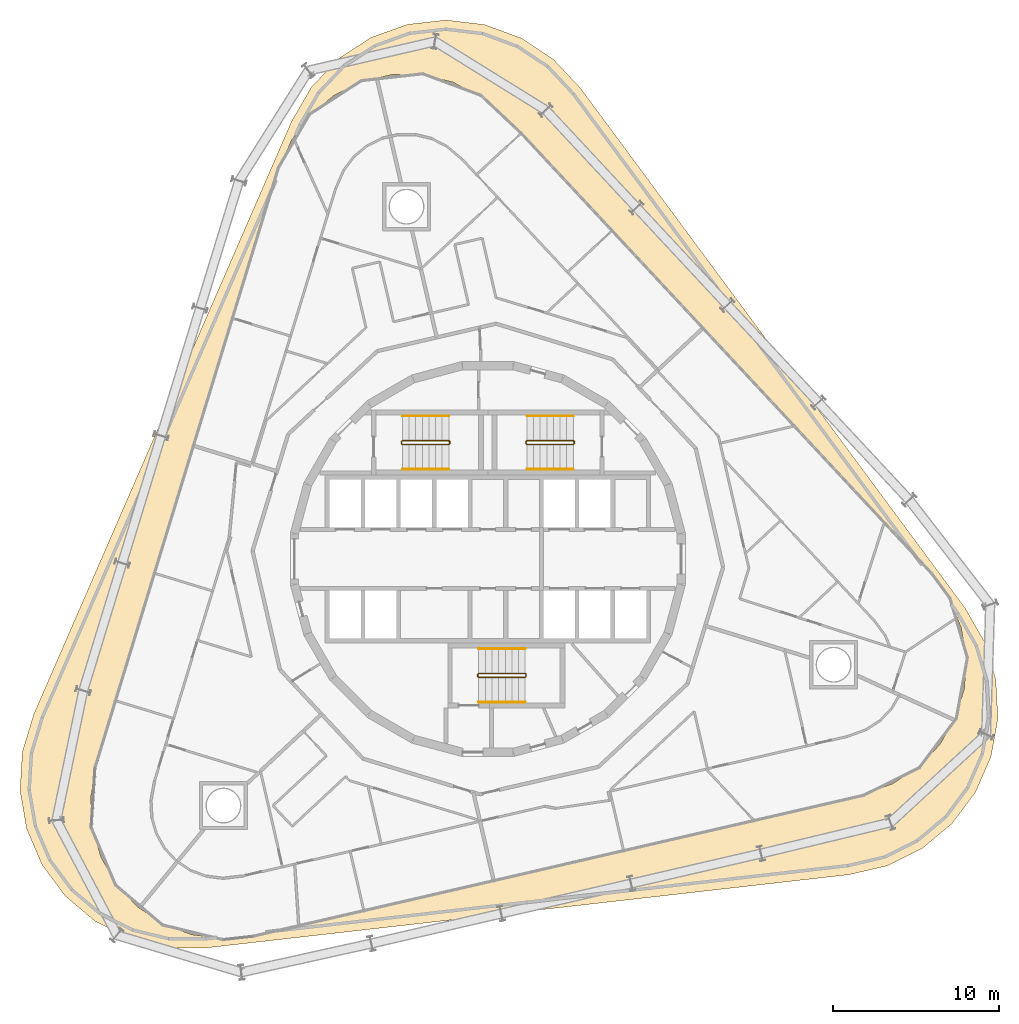
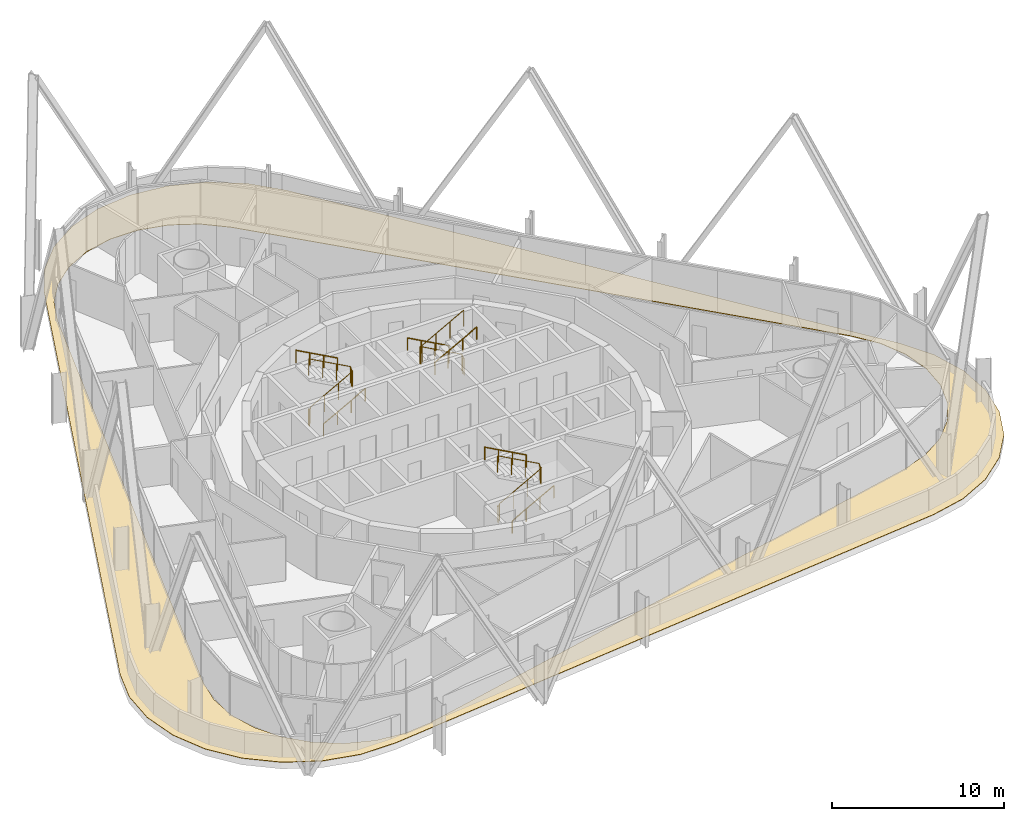
# One storey, part 18 of 18: 9 railings, 1 covering.
"""IFC4 building model written with IfcOpenShell, lengths in metres."""

from ifc_helpers import new_model, si_unit, direction, frame, origin, origin_2d, place, context, subcontext, project, spatial, polyline, circle, outline, extrude, material, layer, layer_set, type_object, element, save


model = new_model("IFC4")

# Units and contexts
model_context = context("Model", 3, precision=1e-05, world=origin(), true_north=direction((0.0, 1.0)))
body_context = subcontext(model_context, "Body", "Model", "MODEL_VIEW")
ifc_project = project(units=[si_unit("LENGTHUNIT", "METRE"), si_unit("AREAUNIT", "SQUARE_METRE"), si_unit("VOLUMEUNIT", "CUBIC_METRE"), si_unit("PLANEANGLEUNIT", "RADIAN"), si_unit("MASSUNIT", "GRAM", prefix="KILO")], contexts=[model_context])

# Site, building, storey
site_placement = place(None, origin())
site = spatial("IfcSite", under=ifc_project, at=site_placement, CompositionType="ELEMENT")
building_placement = place(site_placement, origin())
building = spatial("IfcBuilding", under=site, at=building_placement, Name="Spindle Arch Residences", CompositionType="ELEMENT")
storey_placement = place(building_placement, frame((0.0, 0.0, 113.39990234375)))
storey = spatial("IfcBuildingStorey", under=building, at=storey_placement, Name="L27", CompositionType="ELEMENT", Elevation=113.39990234375)

# Railings
ifc_material_1 = material(Name="Steel, painted", Category="steel")
railing_type_1 = type_object("IfcRailingType", Name="Stair guard 1100", PredefinedType="GUARDRAIL", material=ifc_material_1)
railing_1_placement = place(storey_placement, frame((5.14990234375, 6.89990234375, 3.5)))
element("IfcRailing", 1, at=railing_1_placement, inside=storey, type_object=railing_type_1, Name="L27 ST1 stair guard 1", PredefinedType="GUARDRAIL", context=body_context, shape_type="SweptSolid", body=[
    extrude(circle(Radius=0.02392578125, at=origin_2d()), frame((0.0, 0.0, 1.17578125), z_axis=(-0.877357048833, 0.0, -0.479838106931), x_axis=(0.0, -1.0, 0.0)), (0.0, 0.0, 1.0), 3.191162109375),
    extrude(circle(Radius=0.02392578125, at=origin_2d()), frame((-2.7998046875, 0.0, -0.35546875), z_axis=(-0.217683172539, 0.217683172539, -0.951434744366), x_axis=(-0.707106781187, -0.707106781187, 0.0)), (0.0, 0.0, 1.0), 0.22998046875),
    extrude(circle(Radius=0.02392578125, at=origin_2d()), frame((-2.849853515625, 0.050048828125, -0.57421875), z_axis=(0.0, 1.0, 0.0), x_axis=(-1.0, 0.0, 0.0)), (0.0, 0.0, 1.0), 0.1201171875),
    extrude(circle(Radius=0.02392578125, at=origin_2d()), frame((-2.849853515625, 0.170166015625, -0.57421875), z_axis=(0.707106781187, 0.707106781187, 0.0), x_axis=(-0.707106781187, 0.707106781187, 0.0)), (0.0, 0.0, 1.0), 0.07080078125),
    extrude(circle(Radius=0.02392578125, at=origin_2d()), frame((-2.7998046875, 0.22021484375, -0.57421875), z_axis=(0.877357048833, 0.0, -0.479838106931), x_axis=(0.0, 1.0, 0.0)), (0.0, 0.0, 1.0), 3.191162109375),
    extrude(circle(Radius=0.02392578125, at=origin_2d()), frame((0.0, 0.22021484375, -2.10546875), z_axis=(0.217683172539, -0.217683172539, -0.951434744366), x_axis=(0.707106781187, 0.707106781187, 0.0)), (0.0, 0.0, 1.0), 0.22998046875),
    extrude(circle(Radius=0.02392578125, at=origin_2d()), frame((0.050048828125, 0.170166015625, -2.32421875), z_axis=(0.0, -1.0, 0.0), x_axis=(1.0, 0.0, 0.0)), (0.0, 0.0, 1.0), 0.1201171875),
    extrude(circle(Radius=0.02099609375, at=origin_2d()), origin(), (0.0, 0.0, 1.0), 1.15185546875),
    extrude(circle(Radius=0.02099609375, at=origin_2d()), frame((-0.933349609375, 0.0, -0.510498046875)), (0.0, 0.0, 1.0), 1.15185546875),
    extrude(circle(Radius=0.02099609375, at=origin_2d()), frame((-1.866455078125, 0.0, -1.020751953125)), (0.0, 0.0, 1.0), 1.15185546875),
    extrude(circle(Radius=0.02099609375, at=origin_2d()), frame((-2.7998046875, 0.0, -1.53125)), (0.0, 0.0, 1.0), 1.15185546875),
    extrude(circle(Radius=0.02099609375, at=origin_2d()), frame((-2.849853515625, 0.050048828125, -1.75)), (0.0, 0.0, 1.0), 1.15185546875),
    extrude(circle(Radius=0.02099609375, at=origin_2d()), frame((-2.849853515625, 0.170166015625, -1.75)), (0.0, 0.0, 1.0), 1.15185546875),
    extrude(circle(Radius=0.02099609375, at=origin_2d()), frame((-2.7998046875, 0.22021484375, -1.75)), (0.0, 0.0, 1.0), 1.15185546875),
    extrude(circle(Radius=0.02099609375, at=origin_2d()), frame((-1.866455078125, 0.22021484375, -2.260498046875)), (0.0, 0.0, 1.0), 1.15185546875),
    extrude(circle(Radius=0.02099609375, at=origin_2d()), frame((-0.933349609375, 0.22021484375, -2.770751953125)), (0.0, 0.0, 1.0), 1.15185546875),
    extrude(circle(Radius=0.02099609375, at=origin_2d()), frame((0.0, 0.22021484375, -3.28125)), (0.0, 0.0, 1.0), 1.15185546875),
    extrude(circle(Radius=0.02099609375, at=origin_2d()), frame((0.050048828125, 0.170166015625, -3.5)), (0.0, 0.0, 1.0), 1.15185546875),
    extrude(circle(Radius=0.02099609375, at=origin_2d()), frame((0.050048828125, 0.050048828125, -3.5)), (0.0, 0.0, 1.0), 1.15185546875),
])
railing_2_placement = place(storey_placement, frame((-5.14990234375, 7.1201171875, 3.5)))
element("IfcRailing", 2, at=railing_2_placement, inside=storey, type_object=railing_type_1, Name="L27 ST2 stair guard 1", PredefinedType="GUARDRAIL", context=body_context, shape_type="SweptSolid", body=[
    extrude(circle(Radius=0.02392578125, at=origin_2d()), frame((0.0, 0.0, 1.17578125), z_axis=(0.877357048833, 0.0, -0.479838106931), x_axis=(0.0, 1.0, 0.0)), (0.0, 0.0, 1.0), 3.191162109375),
    extrude(circle(Radius=0.02392578125, at=origin_2d()), frame((2.7998046875, 0.0, -0.35546875), z_axis=(0.217683172539, -0.217683172539, -0.951434744366), x_axis=(0.707106781187, 0.707106781187, 0.0)), (0.0, 0.0, 1.0), 0.22998046875),
    extrude(circle(Radius=0.02392578125, at=origin_2d()), frame((2.849853515625, -0.050048828125, -0.57421875), z_axis=(0.0, -1.0, 0.0), x_axis=(1.0, 0.0, 0.0)), (0.0, 0.0, 1.0), 0.1201171875),
    extrude(circle(Radius=0.02392578125, at=origin_2d()), frame((2.849853515625, -0.170166015625, -0.57421875), z_axis=(-0.707106781187, -0.707106781187, 0.0), x_axis=(0.707106781187, -0.707106781187, 0.0)), (0.0, 0.0, 1.0), 0.07080078125),
    extrude(circle(Radius=0.02392578125, at=origin_2d()), frame((2.7998046875, -0.22021484375, -0.57421875), z_axis=(-0.877357048833, 0.0, -0.479838106931), x_axis=(0.0, -1.0, 0.0)), (0.0, 0.0, 1.0), 3.191162109375),
    extrude(circle(Radius=0.02392578125, at=origin_2d()), frame((0.0, -0.22021484375, -2.10546875), z_axis=(-0.217683172539, 0.217683172539, -0.951434744366), x_axis=(-0.707106781187, -0.707106781187, 0.0)), (0.0, 0.0, 1.0), 0.22998046875),
    extrude(circle(Radius=0.02392578125, at=origin_2d()), frame((-0.050048828125, -0.170166015625, -2.32421875), z_axis=(0.0, 1.0, 0.0), x_axis=(-1.0, 0.0, 0.0)), (0.0, 0.0, 1.0), 0.1201171875),
    extrude(circle(Radius=0.02099609375, at=origin_2d()), origin(), (0.0, 0.0, 1.0), 1.15185546875),
    extrude(circle(Radius=0.02099609375, at=origin_2d()), frame((0.933349609375, 0.0, -0.510498046875)), (0.0, 0.0, 1.0), 1.15185546875),
    extrude(circle(Radius=0.02099609375, at=origin_2d()), frame((1.866455078125, 0.0, -1.020751953125)), (0.0, 0.0, 1.0), 1.15185546875),
    extrude(circle(Radius=0.02099609375, at=origin_2d()), frame((2.7998046875, 0.0, -1.53125)), (0.0, 0.0, 1.0), 1.15185546875),
    extrude(circle(Radius=0.02099609375, at=origin_2d()), frame((2.849853515625, -0.050048828125, -1.75)), (0.0, 0.0, 1.0), 1.15185546875),
    extrude(circle(Radius=0.02099609375, at=origin_2d()), frame((2.849853515625, -0.170166015625, -1.75)), (0.0, 0.0, 1.0), 1.15185546875),
    extrude(circle(Radius=0.02099609375, at=origin_2d()), frame((2.7998046875, -0.22021484375, -1.75)), (0.0, 0.0, 1.0), 1.15185546875),
    extrude(circle(Radius=0.02099609375, at=origin_2d()), frame((1.866455078125, -0.22021484375, -2.260498046875)), (0.0, 0.0, 1.0), 1.15185546875),
    extrude(circle(Radius=0.02099609375, at=origin_2d()), frame((0.933349609375, -0.22021484375, -2.770751953125)), (0.0, 0.0, 1.0), 1.15185546875),
    extrude(circle(Radius=0.02099609375, at=origin_2d()), frame((0.0, -0.22021484375, -3.28125)), (0.0, 0.0, 1.0), 1.15185546875),
    extrude(circle(Radius=0.02099609375, at=origin_2d()), frame((-0.050048828125, -0.170166015625, -3.5)), (0.0, 0.0, 1.0), 1.15185546875),
    extrude(circle(Radius=0.02099609375, at=origin_2d()), frame((-0.050048828125, -0.050048828125, -3.5)), (0.0, 0.0, 1.0), 1.15185546875),
])
railing_3_placement = place(storey_placement, frame((-0.550048828125, -6.89990234375, 3.5)))
element("IfcRailing", 3, at=railing_3_placement, inside=storey, type_object=railing_type_1, Name="L27 ST3 stair guard 1", PredefinedType="GUARDRAIL", context=body_context, shape_type="SweptSolid", body=[
    extrude(circle(Radius=0.02392578125, at=origin_2d()), frame((0.0, 0.0, 1.17578125), z_axis=(0.877374661878, 0.0, -0.479805901063), x_axis=(0.0, 1.0, 0.0)), (0.0, 0.0, 1.0), 3.19140625),
    extrude(circle(Radius=0.02392578125, at=origin_2d()), frame((2.800048828125, 0.0, -0.35546875), z_axis=(0.217683172539, -0.217683172539, -0.951434744366), x_axis=(0.707106781187, 0.707106781187, 0.0)), (0.0, 0.0, 1.0), 0.22998046875),
    extrude(circle(Radius=0.02392578125, at=origin_2d()), frame((2.85009765625, -0.050048828125, -0.57421875), z_axis=(0.0, -1.0, 0.0), x_axis=(1.0, 0.0, 0.0)), (0.0, 0.0, 1.0), 0.1201171875),
    extrude(circle(Radius=0.02392578125, at=origin_2d()), frame((2.85009765625, -0.170166015625, -0.57421875), z_axis=(-0.707106781187, -0.707106781187, 0.0), x_axis=(0.707106781187, -0.707106781187, 0.0)), (0.0, 0.0, 1.0), 0.07080078125),
    extrude(circle(Radius=0.02392578125, at=origin_2d()), frame((2.800048828125, -0.22021484375, -0.57421875), z_axis=(-0.877374661878, 0.0, -0.479805901063), x_axis=(0.0, -1.0, 0.0)), (0.0, 0.0, 1.0), 3.19140625),
    extrude(circle(Radius=0.02392578125, at=origin_2d()), frame((0.0, -0.22021484375, -2.10546875), z_axis=(-0.217683172539, 0.217683172539, -0.951434744366), x_axis=(-0.707106781187, -0.707106781187, 0.0)), (0.0, 0.0, 1.0), 0.22998046875),
    extrude(circle(Radius=0.02392578125, at=origin_2d()), frame((-0.050048828125, -0.170166015625, -2.32421875), z_axis=(0.0, 1.0, 0.0), x_axis=(-1.0, 0.0, 0.0)), (0.0, 0.0, 1.0), 0.1201171875),
    extrude(circle(Radius=0.02099609375, at=origin_2d()), origin(), (0.0, 0.0, 1.0), 1.15185546875),
    extrude(circle(Radius=0.02099609375, at=origin_2d()), frame((0.933349609375, 0.0, -0.510498046875)), (0.0, 0.0, 1.0), 1.15185546875),
    extrude(circle(Radius=0.02099609375, at=origin_2d()), frame((1.86669921875, 0.0, -1.020751953125)), (0.0, 0.0, 1.0), 1.15185546875),
    extrude(circle(Radius=0.02099609375, at=origin_2d()), frame((2.800048828125, 0.0, -1.53125)), (0.0, 0.0, 1.0), 1.15185546875),
    extrude(circle(Radius=0.02099609375, at=origin_2d()), frame((2.85009765625, -0.050048828125, -1.75)), (0.0, 0.0, 1.0), 1.15185546875),
    extrude(circle(Radius=0.02099609375, at=origin_2d()), frame((2.85009765625, -0.170166015625, -1.75)), (0.0, 0.0, 1.0), 1.15185546875),
    extrude(circle(Radius=0.02099609375, at=origin_2d()), frame((2.800048828125, -0.22021484375, -1.75)), (0.0, 0.0, 1.0), 1.15185546875),
    extrude(circle(Radius=0.02099609375, at=origin_2d()), frame((1.86669921875, -0.22021484375, -2.260498046875)), (0.0, 0.0, 1.0), 1.15185546875),
    extrude(circle(Radius=0.02099609375, at=origin_2d()), frame((0.933349609375, -0.22021484375, -2.770751953125)), (0.0, 0.0, 1.0), 1.15185546875),
    extrude(circle(Radius=0.02099609375, at=origin_2d()), frame((0.0, -0.22021484375, -3.28125)), (0.0, 0.0, 1.0), 1.15185546875),
    extrude(circle(Radius=0.02099609375, at=origin_2d()), frame((-0.050048828125, -0.170166015625, -3.5)), (0.0, 0.0, 1.0), 1.15185546875),
    extrude(circle(Radius=0.02099609375, at=origin_2d()), frame((-0.050048828125, -0.050048828125, -3.5)), (0.0, 0.0, 1.0), 1.15185546875),
])
ifc_material_2 = material(Name="Steel, painted", Category="steel")
railing_type_2 = type_object("IfcRailingType", Name="Stair handrail 900", PredefinedType="HANDRAIL", material=ifc_material_2)
railing_4_placement = place(storey_placement, frame((5.14990234375, 8.6201171875, 0.21875)))
element("IfcRailing", 4, at=railing_4_placement, inside=storey, type_object=railing_type_2, Name="L27 ST1 stair handrail 1", PredefinedType="HANDRAIL", context=body_context, shape_type="SweptSolid", body=[
    extrude(circle(Radius=0.02392578125, at=origin_2d()), frame((0.0, 0.0, 0.8759765625), z_axis=(-0.877357048833, 0.0, 0.479838106931), x_axis=(0.0, -1.0, 0.0)), (0.0, 0.0, 1.0), 3.191162109375),
    extrude(circle(Radius=0.02099609375, at=origin_2d()), origin(), (0.0, 0.0, 1.0), 0.851806640625),
    extrude(circle(Radius=0.02099609375, at=origin_2d()), frame((-0.933349609375, 0.0, 0.510498046875)), (0.0, 0.0, 1.0), 0.851806640625),
    extrude(circle(Radius=0.02099609375, at=origin_2d()), frame((-1.866455078125, 0.0, 1.020751953125)), (0.0, 0.0, 1.0), 0.851806640625),
    extrude(circle(Radius=0.02099609375, at=origin_2d()), frame((-2.7998046875, 0.0, 1.53125)), (0.0, 0.0, 1.0), 0.851806640625),
])
for number, where, name in (
    (5, (2.35009765625, 5.39990234375, 1.96875), "L27 ST1 stair handrail 2"),
    (6, (-5.14990234375, 5.39990234375, 0.21875), "L27 ST2 stair handrail 1"),
):
    element("IfcRailing", number, at=place(storey_placement, frame(where)), inside=storey, type_object=railing_type_2, Name=name, PredefinedType="HANDRAIL", context=body_context, shape_type="SweptSolid", body=[
        extrude(circle(Radius=0.02392578125, at=origin_2d()), frame((0.0, 0.0, 0.8759765625), z_axis=(0.877357048833, 0.0, 0.479838106931), x_axis=(0.0, 1.0, 0.0)), (0.0, 0.0, 1.0), 3.191162109375),
        extrude(circle(Radius=0.02099609375, at=origin_2d()), origin(), (0.0, 0.0, 1.0), 0.851806640625),
        extrude(circle(Radius=0.02099609375, at=origin_2d()), frame((0.933349609375, 0.0, 0.510498046875)), (0.0, 0.0, 1.0), 0.851806640625),
        extrude(circle(Radius=0.02099609375, at=origin_2d()), frame((1.866455078125, 0.0, 1.020751953125)), (0.0, 0.0, 1.0), 0.851806640625),
        extrude(circle(Radius=0.02099609375, at=origin_2d()), frame((2.7998046875, 0.0, 1.53125)), (0.0, 0.0, 1.0), 0.851806640625),
    ])
railing_5_placement = place(storey_placement, frame((-2.35009765625, 8.6201171875, 1.96875)))
element("IfcRailing", 7, at=railing_5_placement, inside=storey, type_object=railing_type_2, Name="L27 ST2 stair handrail 2", PredefinedType="HANDRAIL", context=body_context, shape_type="SweptSolid", body=[
    extrude(circle(Radius=0.02392578125, at=origin_2d()), frame((0.0, 0.0, 0.8759765625), z_axis=(-0.877357048833, 0.0, 0.479838106931), x_axis=(0.0, -1.0, 0.0)), (0.0, 0.0, 1.0), 3.191162109375),
    extrude(circle(Radius=0.02099609375, at=origin_2d()), origin(), (0.0, 0.0, 1.0), 0.851806640625),
    extrude(circle(Radius=0.02099609375, at=origin_2d()), frame((-0.933349609375, 0.0, 0.510498046875)), (0.0, 0.0, 1.0), 0.851806640625),
    extrude(circle(Radius=0.02099609375, at=origin_2d()), frame((-1.866455078125, 0.0, 1.020751953125)), (0.0, 0.0, 1.0), 0.851806640625),
    extrude(circle(Radius=0.02099609375, at=origin_2d()), frame((-2.7998046875, 0.0, 1.53125)), (0.0, 0.0, 1.0), 0.851806640625),
])
railing_6_placement = place(storey_placement, frame((-0.550048828125, -8.6201171875, 0.21875)))
element("IfcRailing", 8, at=railing_6_placement, inside=storey, type_object=railing_type_2, Name="L27 ST3 stair handrail 1", PredefinedType="HANDRAIL", context=body_context, shape_type="SweptSolid", body=[
    extrude(circle(Radius=0.02392578125, at=origin_2d()), frame((0.0, 0.0, 0.8759765625), z_axis=(0.877374661878, 0.0, 0.479805901063), x_axis=(0.0, 1.0, 0.0)), (0.0, 0.0, 1.0), 3.19140625),
    extrude(circle(Radius=0.02099609375, at=origin_2d()), origin(), (0.0, 0.0, 1.0), 0.851806640625),
    extrude(circle(Radius=0.02099609375, at=origin_2d()), frame((0.933349609375, 0.0, 0.510498046875)), (0.0, 0.0, 1.0), 0.851806640625),
    extrude(circle(Radius=0.02099609375, at=origin_2d()), frame((1.86669921875, 0.0, 1.020751953125)), (0.0, 0.0, 1.0), 0.851806640625),
    extrude(circle(Radius=0.02099609375, at=origin_2d()), frame((2.800048828125, 0.0, 1.53125)), (0.0, 0.0, 1.0), 0.851806640625),
])
railing_7_placement = place(storey_placement, frame((2.25, -5.39990234375, 1.96875)))
element("IfcRailing", 9, at=railing_7_placement, inside=storey, type_object=railing_type_2, Name="L27 ST3 stair handrail 2", PredefinedType="HANDRAIL", context=body_context, shape_type="SweptSolid", body=[
    extrude(circle(Radius=0.02392578125, at=origin_2d()), frame((0.0, 0.0, 0.8759765625), z_axis=(-0.877374661878, 0.0, 0.479805901063), x_axis=(0.0, -1.0, 0.0)), (0.0, 0.0, 1.0), 3.19140625),
    extrude(circle(Radius=0.02099609375, at=origin_2d()), origin(), (0.0, 0.0, 1.0), 0.851806640625),
    extrude(circle(Radius=0.02099609375, at=origin_2d()), frame((-0.933349609375, 0.0, 0.510498046875)), (0.0, 0.0, 1.0), 0.851806640625),
    extrude(circle(Radius=0.02099609375, at=origin_2d()), frame((-1.86669921875, 0.0, 1.020751953125)), (0.0, 0.0, 1.0), 0.851806640625),
    extrude(circle(Radius=0.02099609375, at=origin_2d()), frame((-2.800048828125, 0.0, 1.53125)), (0.0, 0.0, 1.0), 0.851806640625),
])

# Covering
ifc_material_3 = material(Name="Non-combustible mineral wool, bituminous membrane and concrete pavers", Category="concrete")
ifc_layer = layer(ifc_material_3, 0.030029296875)
ifc_layer_set = layer_set([ifc_layer], Name="Terrace roofing membrane and pavers")
covering_type = type_object("IfcCoveringType", Name="Terrace roofing membrane and pavers", PredefinedType="ROOFING", material=ifc_layer_set)
covering_placement = place(storey_placement, origin())
element("IfcCovering", 10, at=covering_placement, inside=storey, type_object=covering_type, Name="Terrace roofing L26 1", PredefinedType="ROOFING", context=body_context, shape_type="SweptSolid", body=[
    extrude(outline(polyline([(-16.95556640625, -23.427490234375), (-19.300537109375, -23.420654296875), (-21.580810546875, -22.873291015625), (-23.67333984375, -21.814697265625), (-25.465576171875, -20.302001953125), (-26.8603515625, -18.4169921875), (-27.782958984375, -16.260986328125), (-28.183349609375, -13.950439453125), (-28.040283203125, -11.609619140625), (-27.361083984375, -9.364990234375), (-11.81103515625, 26.397705078125), (-10.632568359375, 28.425048828125), (-9.018310546875, 30.126220703125), (-7.055419921875, 31.4091796875), (-4.849365234375, 32.204833984375), (-2.519287109375, 32.47021484375), (-0.19091796875, 32.191162109375), (2.01025390625, 31.3828125), (3.9658203125, 30.08837890625), (5.570068359375, 28.3779296875), (28.7666015625, -2.97021484375), (29.93310546875, -5.00439453125), (30.599365234375, -7.2529296875), (30.728759765625, -9.594482421875), (30.31494140625, -11.902587890625), (29.3798828125, -14.05322265625), (27.973876953125, -15.93017578125), (26.173095703125, -17.432373046875), (24.074462890625, -18.478759765625), (21.791015625, -19.012939453125), (2.417724609375, -21.22021484375), (-16.95556640625, -23.427490234375)]), holes=[polyline([(22.629638671875, -14.163330078125), (24.378662109375, -13.538330078125), (25.9365234375, -12.526611328125), (27.21923828125, -11.182861328125), (28.1572265625, -9.57958984375), (28.7001953125, -7.803466796875), (28.819091796875, -5.94970703125), (28.507080078125, -4.11865234375), (27.781494140625, -2.40869140625), (26.680908203125, -0.912353515625), (0.950927734375, 26.679443359375), (-0.46484375, 27.8818359375), (-2.119873046875, 28.72509765625), (-3.9248046875, 29.163818359375), (-5.7822265625, 29.1748046875), (-7.59228515625, 28.7568359375), (-9.2568359375, 27.932861328125), (-10.686767578125, 26.747314453125), (-11.8046875, 25.263671875), (-12.55029296875, 23.5625), (-23.58056640625, -12.51611328125), (-23.913818359375, -14.343505859375), (-23.816650390625, -16.198486328125), (-23.294189453125, -17.98095703125), (-22.374755859375, -19.594970703125), (-21.108154296875, -20.953369140625), (-19.56201171875, -21.983154296875), (-17.8203125, -22.628662109375), (-15.976806640625, -22.85498046875), (-14.130615234375, -22.650146484375), (4.24951171875, -18.40673828125), (22.629638671875, -14.163330078125)])]), origin(), (0.0, 0.0, 1.0), 0.030029296875),
])

save(model, "model.ifc")
